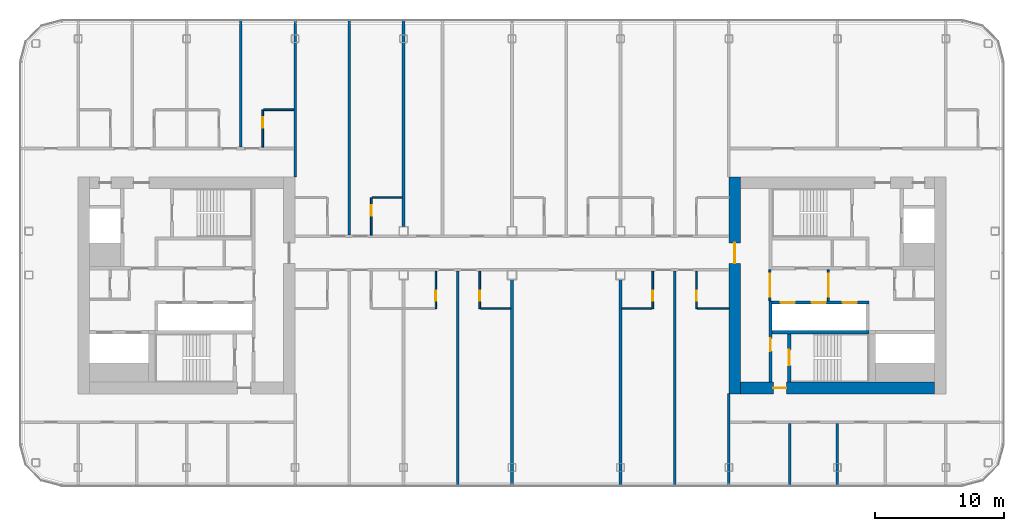
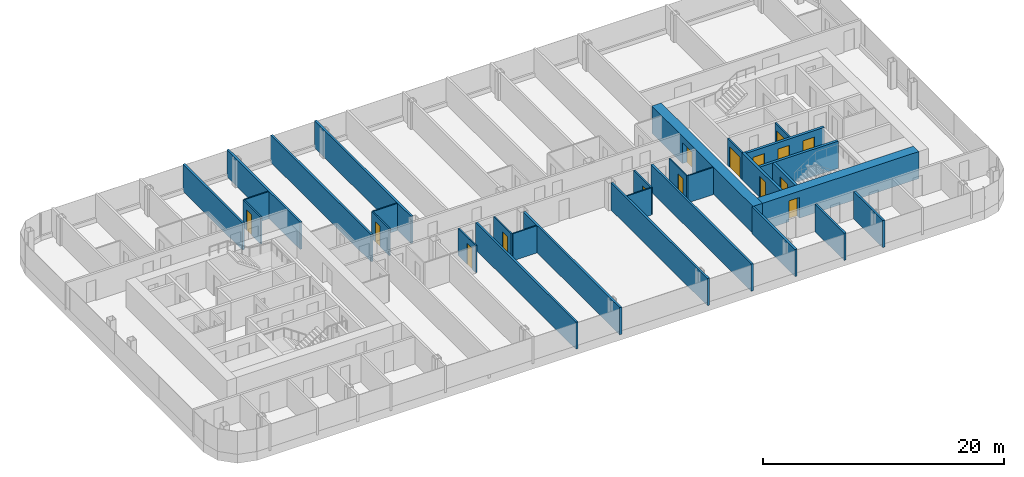
# One storey, part 15 of 26: 30 walls, 15 doors, 15 openings.
"""IFC4 building model written with IfcOpenShell, lengths in metres."""

from ifc_helpers import new_model, si_unit, direction, frame, frame_2d, origin, place, context, subcontext, project, spatial, rectangle, extrude, material, layer, layer_set, type_object, element, fill, save


model = new_model("IFC4")

# Units and contexts
model_context = context("Model", 3, precision=1e-05, world=origin(), true_north=direction((0.0, 1.0)))
body_context = subcontext(model_context, "Body", "Model", "MODEL_VIEW")
ifc_project = project(units=[si_unit("LENGTHUNIT", "METRE"), si_unit("AREAUNIT", "SQUARE_METRE"), si_unit("VOLUMEUNIT", "CUBIC_METRE"), si_unit("PLANEANGLEUNIT", "RADIAN"), si_unit("MASSUNIT", "GRAM", prefix="KILO")], contexts=[model_context])

# Site, building, storey
site_placement = place(None, origin())
site = spatial("IfcSite", under=ifc_project, at=site_placement, CompositionType="ELEMENT")
building_placement = place(site_placement, origin())
building = spatial("IfcBuilding", under=site, at=building_placement, Name="Hakoniwa Tower and Hamabe Station Hall", CompositionType="ELEMENT")
storey_placement = place(building_placement, frame((0.0, 0.0, 221.800048828125)))
storey = spatial("IfcBuildingStorey", under=building, at=storey_placement, Name="L63", CompositionType="ELEMENT", Elevation=221.800048828125)

# Walls
ifc_material_1 = material(Name="Gypsum board partition", Category="gypsum")
ifc_layer_1 = layer(ifc_material_1, 0.125)
ifc_layer_set_1 = layer_set([ifc_layer_1], Name="Bathroom Partition 125")
wall_type_1 = type_object("IfcWallType", Name="Bathroom Partition 125", PredefinedType="PARTITIONING", material=ifc_layer_set_1)
for number, where, z_axis, x_axis, name in (
    (1, (-2.4375, -1.800048828125, 0.0), (0.0, 0.0, 1.0), (1.0, 0.0, 0.0), "GW-L63-005"),
    (2, (8.5, -1.800048828125, 0.0), (0.0, 0.0, 1.0), (1.0, 0.0, 0.0), "GW-L63-006"),
):
    element("IfcWall", number, at=place(storey_placement, frame(where, z_axis=z_axis, x_axis=x_axis)), inside=storey, type_object=wall_type_1, Name=name, PredefinedType="PARTITIONING", context=body_context, shape_type="SweptSolid", body=[
        extrude(rectangle(XDim=2.33740234375, YDim=0.125, at=frame_2d((1.168701171875, 0.0))), origin(), (0.0, 0.0, 1.0), 2.75),
    ])
wall_1_placement = place(storey_placement, frame((14.362548828125, -1.800048828125, 0.0), z_axis=(0.0, 0.0, 1.0), x_axis=(1.0, 0.0, 0.0)))
element("IfcWall", 3, at=wall_1_placement, inside=storey, type_object=wall_type_1, Name="GW-L63-007", PredefinedType="PARTITIONING", context=body_context, shape_type="SweptSolid", body=[
    extrude(rectangle(XDim=2.447509765625, YDim=0.125, at=frame_2d((1.2236328125, 0.0))), origin(), (0.0, 0.0, 1.0), 2.75),
])
wall_2_placement = place(storey_placement, frame((-10.83740234375, 6.800048828125, 0.0), z_axis=(0.0, 0.0, 1.0), x_axis=(1.0, 0.0, 0.0)))
element("IfcWall", 4, at=wall_2_placement, inside=storey, type_object=wall_type_1, Name="GW-L63-011", PredefinedType="PARTITIONING", context=body_context, shape_type="SweptSolid", body=[
    extrude(rectangle(XDim=2.33740234375, YDim=0.125, at=frame_2d((1.168701171875, 0.0))), origin(), (0.0, 0.0, 1.0), 2.75),
])
wall_3_placement = place(storey_placement, frame((-19.237548828125, 13.60009765625, 0.0), z_axis=(0.0, 0.0, 1.0), x_axis=(1.0, 0.0, 0.0)))
element("IfcWall", 5, at=wall_3_placement, inside=storey, type_object=wall_type_1, Name="GW-L63-019", PredefinedType="PARTITIONING", context=body_context, shape_type="SweptSolid", body=[
    extrude(rectangle(XDim=2.337646484375, YDim=0.125, at=frame_2d((1.1689453125, 0.0))), origin(), (0.0, 0.0, 1.0), 2.75),
])

# Wall, opening, door
wall_4_placement = place(storey_placement, frame((-19.300048828125, 10.699951171875, 0.0), z_axis=(0.0, 0.0, 1.0), x_axis=(0.0, 1.0, 0.0)))
wall_4 = element("IfcWall", 6, at=wall_4_placement, inside=storey, type_object=wall_type_1, Name="GW-L63-032", PredefinedType="PARTITIONING", context=body_context, shape_type="SweptSolid", body=[
    extrude(rectangle(XDim=2.900146484375, YDim=0.125, at=frame_2d((1.4501953125, 0.0))), origin(), (0.0, 0.0, 1.0), 2.75),
])
opening_1_placement = place(wall_4_placement, frame((1.5, 0.0, 0.0)))
opening_1 = element("IfcOpeningElement", 7, at=opening_1_placement, cuts=wall_4, Name="Opening GD-G4B2-37", PredefinedType="OPENING", context=body_context, shape_type="SweptSolid", body=[
    extrude(rectangle(XDim=0.800048828125, YDim=2.10009765625, at=frame_2d((0.39990234375, 1.050048828125))), frame((0.0, 0.072509765625, 0.0), z_axis=(0.0, -1.0, 0.0), x_axis=(1.0, 0.0, 0.0)), (0.0, 0.0, 1.0), 0.14501953125),
])
ifc_material_2 = material(Name="Timber door leaf", Category="wood")
door_type_1 = type_object("IfcDoorType", Name="Bathroom Door 800", OperationType="SINGLE_SWING_LEFT", PredefinedType="DOOR", material=ifc_material_2)
door_1_placement = place(opening_1_placement, origin())
door_1 = element("IfcDoor", 8, at=door_1_placement, inside=storey, type_object=door_type_1, Name="Door GD-G4B2-37", OperationType="SINGLE_SWING_RIGHT", OverallHeight=2.10009765625, OverallWidth=0.800048828125, PredefinedType="DOOR", context=body_context, shape_type="SweptSolid", body=[
    extrude(rectangle(XDim=0.800048828125, YDim=2.10009765625, at=frame_2d((0.39990234375, 1.050048828125))), frame((0.0, 0.02490234375, 0.0), z_axis=(0.0, -1.0, 0.0), x_axis=(1.0, 0.0, 0.0)), (0.0, 0.0, 1.0), 0.050048828125),
])
fill(opening_1, door_1)

wall_5_placement = place(storey_placement, frame((-10.89990234375, 3.89990234375, 0.0), z_axis=(0.0, 0.0, 1.0), x_axis=(0.0, 1.0, 0.0)))
wall_5 = element("IfcWall", 9, at=wall_5_placement, inside=storey, type_object=wall_type_1, Name="GW-L63-040", PredefinedType="PARTITIONING", context=body_context, shape_type="SweptSolid", body=[
    extrude(rectangle(XDim=2.900146484375, YDim=0.125, at=frame_2d((1.4501953125, 0.0))), origin(), (0.0, 0.0, 1.0), 2.75),
])
opening_2_placement = place(wall_5_placement, frame((1.5, 0.0, 0.0)))
opening_2 = element("IfcOpeningElement", 10, at=opening_2_placement, cuts=wall_5, Name="Opening GD-G4B2-41", PredefinedType="OPENING", context=body_context, shape_type="SweptSolid", body=[
    extrude(rectangle(XDim=0.800048828125, YDim=2.10009765625, at=frame_2d((0.39990234375, 1.050048828125))), frame((0.0, 0.072509765625, 0.0), z_axis=(0.0, -1.0, 0.0), x_axis=(1.0, 0.0, 0.0)), (0.0, 0.0, 1.0), 0.14501953125),
])
door_2_placement = place(opening_2_placement, origin())
door_2 = element("IfcDoor", 11, at=door_2_placement, inside=storey, type_object=door_type_1, Name="Door GD-G4B2-41", OperationType="SINGLE_SWING_RIGHT", OverallHeight=2.10009765625, OverallWidth=0.800048828125, PredefinedType="DOOR", context=body_context, shape_type="SweptSolid", body=[
    extrude(rectangle(XDim=0.800048828125, YDim=2.10009765625, at=frame_2d((0.39990234375, 1.050048828125))), frame((0.0, 0.02490234375, 0.0), z_axis=(0.0, -1.0, 0.0), x_axis=(1.0, 0.0, 0.0)), (0.0, 0.0, 1.0), 0.050048828125),
])
fill(opening_2, door_2)

wall_6_placement = place(storey_placement, frame((-5.89990234375, -1.800048828125, 0.0), z_axis=(0.0, 0.0, 1.0), x_axis=(0.0, 1.0, 0.0)))
wall_6 = element("IfcWall", 12, at=wall_6_placement, inside=storey, type_object=wall_type_1, Name="GW-L63-043", PredefinedType="PARTITIONING", context=body_context, shape_type="SweptSolid", body=[
    extrude(rectangle(XDim=2.900146484375, YDim=0.125, at=frame_2d((1.4501953125, 0.0))), origin(), (0.0, 0.0, 1.0), 2.75),
])
opening_3_placement = place(wall_6_placement, frame((0.60009765625, 0.0, 0.0)))
opening_3 = element("IfcOpeningElement", 13, at=opening_3_placement, cuts=wall_6, Name="Opening GD-G4B2-42", PredefinedType="OPENING", context=body_context, shape_type="SweptSolid", body=[
    extrude(rectangle(XDim=0.800048828125, YDim=2.10009765625, at=frame_2d((0.39990234375, 1.050048828125))), frame((0.0, 0.072509765625, 0.0), z_axis=(0.0, -1.0, 0.0), x_axis=(1.0, 0.0, 0.0)), (0.0, 0.0, 1.0), 0.14501953125),
])
door_3_placement = place(opening_3_placement, origin())
door_3 = element("IfcDoor", 14, at=door_3_placement, inside=storey, type_object=door_type_1, Name="Door GD-G4B2-42", OperationType="SINGLE_SWING_RIGHT", OverallHeight=2.10009765625, OverallWidth=0.800048828125, PredefinedType="DOOR", context=body_context, shape_type="SweptSolid", body=[
    extrude(rectangle(XDim=0.800048828125, YDim=2.10009765625, at=frame_2d((0.39990234375, 1.050048828125))), frame((0.0, 0.02490234375, 0.0), z_axis=(0.0, -1.0, 0.0), x_axis=(1.0, 0.0, 0.0)), (0.0, 0.0, 1.0), 0.050048828125),
])
fill(opening_3, door_3)

wall_7_placement = place(storey_placement, frame((-2.5, -1.800048828125, 0.0), z_axis=(0.0, 0.0, 1.0), x_axis=(0.0, 1.0, 0.0)))
wall_7 = element("IfcWall", 15, at=wall_7_placement, inside=storey, type_object=wall_type_1, Name="GW-L63-046", PredefinedType="PARTITIONING", context=body_context, shape_type="SweptSolid", body=[
    extrude(rectangle(XDim=2.900146484375, YDim=0.125, at=frame_2d((1.4501953125, 0.0))), origin(), (0.0, 0.0, 1.0), 2.75),
])
opening_4_placement = place(wall_7_placement, frame((0.60009765625, 0.0, 0.0)))
opening_4 = element("IfcOpeningElement", 16, at=opening_4_placement, cuts=wall_7, Name="Opening GD-G4B2-43", PredefinedType="OPENING", context=body_context, shape_type="SweptSolid", body=[
    extrude(rectangle(XDim=0.800048828125, YDim=2.10009765625, at=frame_2d((0.39990234375, 1.050048828125))), frame((0.0, 0.072509765625, 0.0), z_axis=(0.0, -1.0, 0.0), x_axis=(1.0, 0.0, 0.0)), (0.0, 0.0, 1.0), 0.14501953125),
])
door_4_placement = place(opening_4_placement, origin())
door_4 = element("IfcDoor", 17, at=door_4_placement, inside=storey, type_object=door_type_1, Name="Door GD-G4B2-43", OperationType="SINGLE_SWING_LEFT", OverallHeight=2.10009765625, OverallWidth=0.800048828125, PredefinedType="DOOR", context=body_context, shape_type="SweptSolid", body=[
    extrude(rectangle(XDim=0.800048828125, YDim=2.10009765625, at=frame_2d((0.39990234375, 1.050048828125))), frame((0.0, 0.02490234375, 0.0), z_axis=(0.0, -1.0, 0.0), x_axis=(1.0, 0.0, 0.0)), (0.0, 0.0, 1.0), 0.050048828125),
])
fill(opening_4, door_4)

wall_8_placement = place(storey_placement, frame((10.89990234375, -1.800048828125, 0.0), z_axis=(0.0, 0.0, 1.0), x_axis=(0.0, 1.0, 0.0)))
wall_8 = element("IfcWall", 18, at=wall_8_placement, inside=storey, type_object=wall_type_1, Name="GW-L63-054", PredefinedType="PARTITIONING", context=body_context, shape_type="SweptSolid", body=[
    extrude(rectangle(XDim=2.900146484375, YDim=0.125, at=frame_2d((1.4501953125, 0.0))), origin(), (0.0, 0.0, 1.0), 2.75),
])
opening_5_placement = place(wall_8_placement, frame((0.60009765625, 0.0, 0.0)))
opening_5 = element("IfcOpeningElement", 19, at=opening_5_placement, cuts=wall_8, Name="Opening GD-G4B2-46", PredefinedType="OPENING", context=body_context, shape_type="SweptSolid", body=[
    extrude(rectangle(XDim=0.800048828125, YDim=2.10009765625, at=frame_2d((0.39990234375, 1.050048828125))), frame((0.0, 0.072509765625, 0.0), z_axis=(0.0, -1.0, 0.0), x_axis=(1.0, 0.0, 0.0)), (0.0, 0.0, 1.0), 0.14501953125),
])
door_5_placement = place(opening_5_placement, origin())
door_5 = element("IfcDoor", 20, at=door_5_placement, inside=storey, type_object=door_type_1, Name="Door GD-G4B2-46", OperationType="SINGLE_SWING_RIGHT", OverallHeight=2.10009765625, OverallWidth=0.800048828125, PredefinedType="DOOR", context=body_context, shape_type="SweptSolid", body=[
    extrude(rectangle(XDim=0.800048828125, YDim=2.10009765625, at=frame_2d((0.39990234375, 1.050048828125))), frame((0.0, 0.02490234375, 0.0), z_axis=(0.0, -1.0, 0.0), x_axis=(1.0, 0.0, 0.0)), (0.0, 0.0, 1.0), 0.050048828125),
])
fill(opening_5, door_5)

wall_9_placement = place(storey_placement, frame((14.300048828125, -1.800048828125, 0.0), z_axis=(0.0, 0.0, 1.0), x_axis=(0.0, 1.0, 0.0)))
wall_9 = element("IfcWall", 21, at=wall_9_placement, inside=storey, type_object=wall_type_1, Name="GW-L63-058", PredefinedType="PARTITIONING", context=body_context, shape_type="SweptSolid", body=[
    extrude(rectangle(XDim=2.900146484375, YDim=0.125, at=frame_2d((1.4501953125, 0.0))), origin(), (0.0, 0.0, 1.0), 2.75),
])
opening_6_placement = place(wall_9_placement, frame((0.60009765625, 0.0, 0.0)))
opening_6 = element("IfcOpeningElement", 22, at=opening_6_placement, cuts=wall_9, Name="Opening GD-G4B2-48", PredefinedType="OPENING", context=body_context, shape_type="SweptSolid", body=[
    extrude(rectangle(XDim=0.800048828125, YDim=2.10009765625, at=frame_2d((0.39990234375, 1.050048828125))), frame((0.0, 0.072509765625, 0.0), z_axis=(0.0, -1.0, 0.0), x_axis=(1.0, 0.0, 0.0)), (0.0, 0.0, 1.0), 0.14501953125),
])
door_6_placement = place(opening_6_placement, origin())
door_6 = element("IfcDoor", 23, at=door_6_placement, inside=storey, type_object=door_type_1, Name="Door GD-G4B2-48", OperationType="SINGLE_SWING_LEFT", OverallHeight=2.10009765625, OverallWidth=0.800048828125, PredefinedType="DOOR", context=body_context, shape_type="SweptSolid", body=[
    extrude(rectangle(XDim=0.800048828125, YDim=2.10009765625, at=frame_2d((0.39990234375, 1.050048828125))), frame((0.0, 0.02490234375, 0.0), z_axis=(0.0, -1.0, 0.0), x_axis=(1.0, 0.0, 0.0)), (0.0, 0.0, 1.0), 0.050048828125),
])
fill(opening_6, door_6)

ifc_material_3 = material(Name="Gypsum board partition")
ifc_layer_2 = layer(ifc_material_3, 0.14990234375)
ifc_layer_set_2 = layer_set([ifc_layer_2], Name="CORE PARTITION 150 EI 60")
wall_type_2 = type_object("IfcWallType", Name="CORE PARTITION 150 EI 60", PredefinedType="PARTITIONING", material=ifc_layer_set_2)
wall_10_placement = place(storey_placement, frame((19.97509765625, -1.199951171875, 0.0), z_axis=(0.0, 0.0, 1.0), x_axis=(0.0, 1.0, 0.0)))
wall_10 = element("IfcWall", 24, at=wall_10_placement, inside=storey, type_object=wall_type_2, Name="Core partition PL0 east", PredefinedType="PARTITIONING", context=body_context, shape_type="SweptSolid", body=[
    extrude(rectangle(XDim=2.39990234375, YDim=0.14990234375, at=frame_2d((1.199951171875, 0.0))), origin(), (0.0, 0.0, 1.0), 2.75),
])
opening_7_placement = place(wall_10_placement, frame((0.300048828125, 0.0, 0.0)))
opening_7 = element("IfcOpeningElement", 25, at=opening_7_placement, cuts=wall_10, Name="Opening CD-E-LP0-18", PredefinedType="OPENING", context=body_context, shape_type="SweptSolid", body=[
    extrude(rectangle(XDim=1.800048828125, YDim=2.10009765625, at=frame_2d((0.89990234375, 1.050048828125))), frame((0.0, 0.0849609375, 0.0), z_axis=(0.0, -1.0, 0.0), x_axis=(1.0, 0.0, 0.0)), (0.0, 0.0, 1.0), 0.169921875),
])
ifc_material_4 = material(Name="Steel fire door", Category="steel")
door_type_2 = type_object("IfcDoorType", Name="CORE DOOR 1800 FD60", OperationType="DOUBLE_DOOR_SINGLE_SWING", PredefinedType="DOOR", material=ifc_material_4)
door_7_placement = place(opening_7_placement, origin())
door_7 = element("IfcDoor", 26, at=door_7_placement, inside=storey, type_object=door_type_2, Name="Lift lobby partition door", OperationType="DOUBLE_DOOR_SINGLE_SWING", OverallHeight=2.10009765625, OverallWidth=1.800048828125, PredefinedType="DOOR", context=body_context, shape_type="SweptSolid", body=[
    extrude(rectangle(XDim=1.800048828125, YDim=2.10009765625, at=frame_2d((0.89990234375, 1.050048828125))), frame((0.0, 0.02490234375, 0.0), z_axis=(0.0, -1.0, 0.0), x_axis=(1.0, 0.0, 0.0)), (0.0, 0.0, 1.0), 0.050048828125),
])
fill(opening_7, door_7)

wall_11_placement = place(storey_placement, frame((24.5, -1.199951171875, 0.0), z_axis=(0.0, 0.0, 1.0), x_axis=(0.0, 1.0, 0.0)))
wall_11 = element("IfcWall", 27, at=wall_11_placement, inside=storey, type_object=wall_type_2, Name="Core partition PL1 east", PredefinedType="PARTITIONING", context=body_context, shape_type="SweptSolid", body=[
    extrude(rectangle(XDim=2.39990234375, YDim=0.14990234375, at=frame_2d((1.199951171875, 0.0))), origin(), (0.0, 0.0, 1.0), 2.75),
])
opening_8_placement = place(wall_11_placement, frame((0.300048828125, 0.0, 0.0)))
opening_8 = element("IfcOpeningElement", 28, at=opening_8_placement, cuts=wall_11, Name="Opening CD-E-LP1-18", PredefinedType="OPENING", context=body_context, shape_type="SweptSolid", body=[
    extrude(rectangle(XDim=1.800048828125, YDim=2.10009765625, at=frame_2d((0.89990234375, 1.050048828125))), frame((0.0, 0.0849609375, 0.0), z_axis=(0.0, -1.0, 0.0), x_axis=(1.0, 0.0, 0.0)), (0.0, 0.0, 1.0), 0.169921875),
])
door_8_placement = place(opening_8_placement, origin())
door_8 = element("IfcDoor", 29, at=door_8_placement, inside=storey, type_object=door_type_2, Name="Lift lobby partition door", OperationType="DOUBLE_DOOR_SINGLE_SWING", OverallHeight=2.10009765625, OverallWidth=1.800048828125, PredefinedType="DOOR", context=body_context, shape_type="SweptSolid", body=[
    extrude(rectangle(XDim=1.800048828125, YDim=2.10009765625, at=frame_2d((0.89990234375, 1.050048828125))), frame((0.0, 0.02490234375, 0.0), z_axis=(0.0, -1.0, 0.0), x_axis=(1.0, 0.0, 0.0)), (0.0, 0.0, 1.0), 0.050048828125),
])
fill(opening_8, door_8)

ifc_material_5 = material(Name="Concrete C60", Category="concrete")
ifc_layer_3 = layer(ifc_material_5, 0.89990234375)
ifc_layer_set_3 = layer_set([ifc_layer_3], Name="CORE WALL 900 C60")
wall_type_3 = type_object("IfcWallType", Name="CORE WALL 900 C60", PredefinedType="SHEAR", material=ifc_layer_set_3)
wall_12_placement = place(storey_placement, frame((17.25, -8.39990234375, 0.0), z_axis=(0.0, 0.0, 1.0), x_axis=(0.0, 1.0, 0.0)))
wall_12 = element("IfcWall", 30, at=wall_12_placement, inside=storey, type_object=wall_type_3, Name="Core wall INNER east", PredefinedType="SHEAR", context=body_context, shape_type="SweptSolid", body=[
    extrude(rectangle(XDim=16.7998046875, YDim=0.89990234375, at=frame_2d((8.39990234375, 0.0))), origin(), (0.0, 0.0, 1.0), 2.75),
])
opening_9_placement = place(wall_12_placement, frame((10.10009765625, 0.0, 0.0)))
opening_9 = element("IfcOpeningElement", 31, at=opening_9_placement, cuts=wall_12, Name="Opening CD-E-IN1-16", PredefinedType="OPENING", context=body_context, shape_type="SweptSolid", body=[
    extrude(rectangle(XDim=1.60009765625, YDim=2.10009765625, at=frame_2d((0.800048828125, 1.050048828125))), frame((0.0, 0.4599609375, 0.0), z_axis=(0.0, -1.0, 0.0), x_axis=(1.0, 0.0, 0.0)), (0.0, 0.0, 1.0), 0.919921875),
])
ifc_material_6 = material(Name="Steel fire door", Category="steel")
door_type_3 = type_object("IfcDoorType", Name="CORE DOOR 1600 FD60", OperationType="DOUBLE_DOOR_SINGLE_SWING", PredefinedType="DOOR", material=ifc_material_6)
door_9_placement = place(opening_9_placement, origin())
door_9 = element("IfcDoor", 32, at=door_9_placement, inside=storey, type_object=door_type_3, Name="Lift lobby door", OperationType="DOUBLE_DOOR_SINGLE_SWING", OverallHeight=2.10009765625, OverallWidth=1.60009765625, PredefinedType="DOOR", context=body_context, shape_type="SweptSolid", body=[
    extrude(rectangle(XDim=1.60009765625, YDim=2.10009765625, at=frame_2d((0.800048828125, 1.050048828125))), frame((0.0, 0.02490234375, 0.0), z_axis=(0.0, -1.0, 0.0), x_axis=(1.0, 0.0, 0.0)), (0.0, 0.0, 1.0), 0.050048828125),
])
fill(opening_9, door_9)

wall_13_placement = place(storey_placement, frame((17.699951171875, -7.949951171875, 0.0), z_axis=(0.0, 0.0, 1.0), x_axis=(1.0, 0.0, 0.0)))
wall_13 = element("IfcWall", 33, at=wall_13_placement, inside=storey, type_object=wall_type_3, Name="Core wall SOUTH east", PredefinedType="SHEAR", context=body_context, shape_type="SweptSolid", body=[
    extrude(rectangle(XDim=15.0, YDim=0.89990234375, at=frame_2d((7.5, 0.0))), origin(), (0.0, 0.0, 1.0), 2.75),
])
opening_10_placement = place(wall_13_placement, frame((2.550048828125, 0.0, 0.0)))
opening_10 = element("IfcOpeningElement", 34, at=opening_10_placement, cuts=wall_13, Name="Opening CD-E-FS3-10", PredefinedType="OPENING", context=body_context, shape_type="SweptSolid", body=[
    extrude(rectangle(XDim=1.0, YDim=2.10009765625, at=frame_2d((0.5, 1.050048828125))), frame((0.0, 0.4599609375, 0.0), z_axis=(0.0, -1.0, 0.0), x_axis=(1.0, 0.0, 0.0)), (0.0, 0.0, 1.0), 0.919921875),
])
ifc_material_7 = material(Name="Steel fire door", Category="steel")
door_type_4 = type_object("IfcDoorType", Name="CORE DOOR 1000 FD60", OperationType="NOTDEFINED", PredefinedType="DOOR", material=ifc_material_7)
door_10_placement = place(opening_10_placement, origin())
door_10 = element("IfcDoor", 35, at=door_10_placement, inside=storey, type_object=door_type_4, Name="Stair vestibule door", OperationType="SINGLE_SWING_RIGHT", OverallHeight=2.10009765625, OverallWidth=1.0, PredefinedType="DOOR", context=body_context, shape_type="SweptSolid", body=[
    extrude(rectangle(XDim=1.0, YDim=2.10009765625, at=frame_2d((0.5, 1.050048828125))), frame((0.0, 0.02490234375, 0.0), z_axis=(0.0, -1.0, 0.0), x_axis=(1.0, 0.0, 0.0)), (0.0, 0.0, 1.0), 0.050048828125),
])
fill(opening_10, door_10)

ifc_material_8 = material(Name="Concrete C60", Category="concrete")
ifc_layer_4 = layer(ifc_material_8, 0.25)
ifc_layer_set_4 = layer_set([ifc_layer_4], Name="CORE WEB WALL 250 C60")
wall_type_4 = type_object("IfcWallType", Name="CORE WEB WALL 250 C60", PredefinedType="SHEAR", material=ifc_layer_set_4)
wall_14_placement = place(storey_placement, frame((20.02490234375, -7.5, 0.0), z_axis=(0.0, 0.0, 1.0), x_axis=(0.0, 1.0, 0.0)))
wall_14 = element("IfcWall", 36, at=wall_14_placement, inside=storey, type_object=wall_type_4, Name="Core wall W1S east", PredefinedType="SHEAR", context=body_context, shape_type="SweptSolid", body=[
    extrude(rectangle(XDim=6.300048828125, YDim=0.25, at=frame_2d((3.14990234375, 0.0))), origin(), (0.0, 0.0, 1.0), 2.75),
])
opening_11_placement = place(wall_14_placement, frame((2.39990234375, 0.0, 0.0)))
opening_11 = element("IfcOpeningElement", 37, at=opening_11_placement, cuts=wall_14, Name="Opening CD-E-VS-10", PredefinedType="OPENING", context=body_context, shape_type="SweptSolid", body=[
    extrude(rectangle(XDim=1.0, YDim=2.10009765625, at=frame_2d((0.5, 1.050048828125))), frame((0.0, 0.135009765625, 0.0), z_axis=(0.0, -1.0, 0.0), x_axis=(1.0, 0.0, 0.0)), (0.0, 0.0, 1.0), 0.27001953125),
])
door_11_placement = place(opening_11_placement, origin())
door_11 = element("IfcDoor", 38, at=door_11_placement, inside=storey, type_object=door_type_4, Name="Stair vestibule door", OperationType="SINGLE_SWING_RIGHT", OverallHeight=2.10009765625, OverallWidth=1.0, PredefinedType="DOOR", context=body_context, shape_type="SweptSolid", body=[
    extrude(rectangle(XDim=1.0, YDim=2.10009765625, at=frame_2d((0.5, 1.050048828125))), frame((0.0, 0.02490234375, 0.0), z_axis=(0.0, -1.0, 0.0), x_axis=(1.0, 0.0, 0.0)), (0.0, 0.0, 1.0), 0.050048828125),
])
fill(opening_11, door_11)

# Wall, openings, doors
wall_15_placement = place(storey_placement, frame((20.14990234375, -1.324951171875, 0.0), z_axis=(0.0, 0.0, 1.0), x_axis=(1.0, 0.0, 0.0)))
wall_15 = element("IfcWall", 39, at=wall_15_placement, inside=storey, type_object=wall_type_4, Name="Core wall SF east", PredefinedType="SHEAR", context=body_context, shape_type="SweptSolid", body=[
    extrude(rectangle(XDim=7.5, YDim=0.25, at=frame_2d((3.75, 0.0))), origin(), (0.0, 0.0, 1.0), 2.75),
])
opening_12_placement = place(wall_15_placement, frame((0.64990234375, 0.0, 0.0)))
opening_12 = element("IfcOpeningElement", 40, at=opening_12_placement, cuts=wall_15, Name="Opening LD-HR4", PredefinedType="OPENING", context=body_context, shape_type="SweptSolid", body=[
    extrude(rectangle(XDim=1.10009765625, YDim=2.10009765625, at=frame_2d((0.550048828125, 1.050048828125))), frame((0.0, 0.135009765625, 0.0), z_axis=(0.0, -1.0, 0.0), x_axis=(1.0, 0.0, 0.0)), (0.0, 0.0, 1.0), 0.27001953125),
])
opening_13_placement = place(wall_15_placement, frame((3.050048828125, 0.0, 0.0)))
opening_13 = element("IfcOpeningElement", 41, at=opening_13_placement, cuts=wall_15, Name="Opening LD-HR5", PredefinedType="OPENING", context=body_context, shape_type="SweptSolid", body=[
    extrude(rectangle(XDim=1.10009765625, YDim=2.10009765625, at=frame_2d((0.550048828125, 1.050048828125))), frame((0.0, 0.135009765625, 0.0), z_axis=(0.0, -1.0, 0.0), x_axis=(1.0, 0.0, 0.0)), (0.0, 0.0, 1.0), 0.27001953125),
])
opening_14_placement = place(wall_15_placement, frame((5.449951171875, 0.0, 0.0)))
opening_14 = element("IfcOpeningElement", 42, at=opening_14_placement, cuts=wall_15, Name="Opening LD-HR6", PredefinedType="OPENING", context=body_context, shape_type="SweptSolid", body=[
    extrude(rectangle(XDim=1.10009765625, YDim=2.10009765625, at=frame_2d((0.550048828125, 1.050048828125))), frame((0.0, 0.135009765625, 0.0), z_axis=(0.0, -1.0, 0.0), x_axis=(1.0, 0.0, 0.0)), (0.0, 0.0, 1.0), 0.27001953125),
])
ifc_material_9 = material(Name="Stainless steel SUS304", Category="steel")
door_type_5 = type_object("IfcDoorType", Name="LIFT LANDING DOOR 1100 FD60", OperationType="DOUBLE_DOOR_SLIDING", PredefinedType="DOOR", material=ifc_material_9)
door_12_placement = place(opening_12_placement, origin())
door_12 = element("IfcDoor", 43, at=door_12_placement, inside=storey, type_object=door_type_5, Name="Lift landing door HR4 L63", OperationType="DOUBLE_DOOR_SLIDING", OverallHeight=2.10009765625, OverallWidth=1.10009765625, PredefinedType="DOOR", context=body_context, shape_type="SweptSolid", body=[
    extrude(rectangle(XDim=1.10009765625, YDim=2.10009765625, at=frame_2d((0.550048828125, 1.050048828125))), frame((0.0, 0.02490234375, 0.0), z_axis=(0.0, -1.0, 0.0), x_axis=(1.0, 0.0, 0.0)), (0.0, 0.0, 1.0), 0.050048828125),
])
fill(opening_12, door_12)
door_13_placement = place(opening_13_placement, origin())
door_13 = element("IfcDoor", 44, at=door_13_placement, inside=storey, type_object=door_type_5, Name="Lift landing door HR5 L63", OperationType="DOUBLE_DOOR_SLIDING", OverallHeight=2.10009765625, OverallWidth=1.10009765625, PredefinedType="DOOR", context=body_context, shape_type="SweptSolid", body=[
    extrude(rectangle(XDim=1.10009765625, YDim=2.10009765625, at=frame_2d((0.550048828125, 1.050048828125))), frame((0.0, 0.02490234375, 0.0), z_axis=(0.0, -1.0, 0.0), x_axis=(1.0, 0.0, 0.0)), (0.0, 0.0, 1.0), 0.050048828125),
])
fill(opening_13, door_13)
door_14_placement = place(opening_14_placement, origin())
door_14 = element("IfcDoor", 45, at=door_14_placement, inside=storey, type_object=door_type_5, Name="Lift landing door HR6 L63", OperationType="DOUBLE_DOOR_SLIDING", OverallHeight=2.10009765625, OverallWidth=1.10009765625, PredefinedType="DOOR", context=body_context, shape_type="SweptSolid", body=[
    extrude(rectangle(XDim=1.10009765625, YDim=2.10009765625, at=frame_2d((0.550048828125, 1.050048828125))), frame((0.0, 0.02490234375, 0.0), z_axis=(0.0, -1.0, 0.0), x_axis=(1.0, 0.0, 0.0)), (0.0, 0.0, 1.0), 0.050048828125),
])
fill(opening_14, door_14)

# Wall
wall_16_placement = place(storey_placement, frame((20.14990234375, -3.625, 0.0), z_axis=(0.0, 0.0, 1.0), x_axis=(1.0, 0.0, 0.0)))
element("IfcWall", 46, at=wall_16_placement, inside=storey, type_object=wall_type_4, Name="Core wall SR east", PredefinedType="SHEAR", context=body_context, shape_type="SweptSolid", body=[
    extrude(rectangle(XDim=7.5, YDim=0.25, at=frame_2d((3.75, 0.0))), origin(), (0.0, 0.0, 1.0), 2.75),
])

# Wall, opening, door
wall_17_placement = place(storey_placement, frame((21.47509765625, -7.5, 0.0), z_axis=(0.0, 0.0, 1.0), x_axis=(0.0, 1.0, 0.0)))
wall_17 = element("IfcWall", 47, at=wall_17_placement, inside=storey, type_object=wall_type_4, Name="Core wall VE east", PredefinedType="SHEAR", context=body_context, shape_type="SweptSolid", body=[
    extrude(rectangle(XDim=3.75, YDim=0.25, at=frame_2d((1.875, 0.0))), origin(), (0.0, 0.0, 1.0), 2.75),
])
opening_15_placement = place(wall_17_placement, frame((1.300048828125, 0.0, 0.0)))
opening_15 = element("IfcOpeningElement", 48, at=opening_15_placement, cuts=wall_17, Name="Opening CD-E-SS-12", PredefinedType="OPENING", context=body_context, shape_type="SweptSolid", body=[
    extrude(rectangle(XDim=1.199951171875, YDim=2.10009765625, at=frame_2d((0.60009765625, 1.050048828125))), frame((0.0, 0.135009765625, 0.0), z_axis=(0.0, -1.0, 0.0), x_axis=(1.0, 0.0, 0.0)), (0.0, 0.0, 1.0), 0.27001953125),
])
ifc_material_10 = material(Name="Steel fire door", Category="steel")
door_type_6 = type_object("IfcDoorType", Name="CORE DOOR 1200 FD60", OperationType="DOUBLE_DOOR_SINGLE_SWING", PredefinedType="DOOR", material=ifc_material_10)
door_15_placement = place(opening_15_placement, origin())
door_15 = element("IfcDoor", 49, at=door_15_placement, inside=storey, type_object=door_type_6, Name="Escape stair door", OperationType="DOUBLE_DOOR_SINGLE_SWING", OverallHeight=2.10009765625, OverallWidth=1.199951171875, PredefinedType="DOOR", context=body_context, shape_type="SweptSolid", body=[
    extrude(rectangle(XDim=1.199951171875, YDim=2.10009765625, at=frame_2d((0.60009765625, 1.050048828125))), frame((0.0, 0.02490234375, 0.0), z_axis=(0.0, -1.0, 0.0), x_axis=(1.0, 0.0, 0.0)), (0.0, 0.0, 1.0), 0.050048828125),
])
fill(opening_15, door_15)

# Walls
ifc_material_11 = material(Name="Fire-rated gypsum board partition", Category="gypsum")
ifc_layer_5 = layer(ifc_material_11, 0.199951171875)
ifc_layer_set_5 = layer_set([ifc_layer_5], Name="Party Wall 200")
wall_type_5 = type_object("IfcWallType", Name="Party Wall 200", PredefinedType="PARTITIONING", material=ifc_layer_set_5)
wall_18_placement = place(storey_placement, frame((-21.0, 10.699951171875, 0.0), z_axis=(0.0, 0.0, 1.0), x_axis=(0.0, 1.0, 0.0)))
element("IfcWall", 50, at=wall_18_placement, inside=storey, type_object=wall_type_5, Name="GW-L63-031", PredefinedType="PARTITIONING", context=body_context, shape_type="SweptSolid", body=[
    extrude(rectangle(XDim=9.85009765625, YDim=0.199951171875, at=frame_2d((4.925048828125, 0.0))), origin(), (0.0, 0.0, 1.0), 2.75),
])
wall_19_placement = place(storey_placement, frame((-16.800048828125, 8.389892578125, 0.0), z_axis=(0.0, 0.0, 1.0), x_axis=(0.0, 1.0, 0.0)))
element("IfcWall", 51, at=wall_19_placement, inside=storey, type_object=wall_type_5, Name="GW-L63-034", PredefinedType="PARTITIONING", context=body_context, shape_type="SweptSolid", body=[
    extrude(rectangle(XDim=12.16015625, YDim=0.199951171875, at=frame_2d((6.080078125, 0.0))), origin(), (0.0, 0.0, 1.0), 2.75),
])
wall_20_placement = place(storey_placement, frame((-12.60009765625, 3.89990234375, 0.0), z_axis=(0.0, 0.0, 1.0), x_axis=(0.0, 1.0, 0.0)))
element("IfcWall", 52, at=wall_20_placement, inside=storey, type_object=wall_type_5, Name="GW-L63-038", PredefinedType="PARTITIONING", context=body_context, shape_type="SweptSolid", body=[
    extrude(rectangle(XDim=16.650146484375, YDim=0.199951171875, at=frame_2d((8.3251953125, 0.0))), origin(), (0.0, 0.0, 1.0), 2.75),
])
wall_21_placement = place(storey_placement, frame((-8.39990234375, 4.5400390625, 0.0), z_axis=(0.0, 0.0, 1.0), x_axis=(0.0, 1.0, 0.0)))
element("IfcWall", 53, at=wall_21_placement, inside=storey, type_object=wall_type_5, Name="GW-L63-042", PredefinedType="PARTITIONING", context=body_context, shape_type="SweptSolid", body=[
    extrude(rectangle(XDim=16.010009765625, YDim=0.199951171875, at=frame_2d((8.0048828125, 0.0))), origin(), (0.0, 0.0, 1.0), 2.75),
])
wall_22_placement = place(storey_placement, frame((-4.199951171875, -15.550048828125, 0.0), z_axis=(0.0, 0.0, 1.0), x_axis=(0.0, 1.0, 0.0)))
element("IfcWall", 54, at=wall_22_placement, inside=storey, type_object=wall_type_5, Name="GW-L63-045", PredefinedType="PARTITIONING", context=body_context, shape_type="SweptSolid", body=[
    extrude(rectangle(XDim=16.650146484375, YDim=0.199951171875, at=frame_2d((8.3251953125, 0.0))), origin(), (0.0, 0.0, 1.0), 2.75),
])
for number, where, z_axis, x_axis, name in (
    (55, (0.0, -15.550048828125, 0.0), (0.0, 0.0, 1.0), (0.0, 1.0, 0.0), "GW-L63-047"),
    (56, (8.39990234375, -15.550048828125, 0.0), (0.0, 0.0, 1.0), (0.0, 1.0, 0.0), "GW-L63-052"),
):
    element("IfcWall", number, at=place(storey_placement, frame(where, z_axis=z_axis, x_axis=x_axis)), inside=storey, type_object=wall_type_5, Name=name, PredefinedType="PARTITIONING", context=body_context, shape_type="SweptSolid", body=[
        extrude(rectangle(XDim=16.010009765625, YDim=0.199951171875, at=frame_2d((8.0048828125, 0.0))), origin(), (0.0, 0.0, 1.0), 2.75),
    ])
wall_23_placement = place(storey_placement, frame((12.60009765625, -15.550048828125, 0.0), z_axis=(0.0, 0.0, 1.0), x_axis=(0.0, 1.0, 0.0)))
element("IfcWall", 57, at=wall_23_placement, inside=storey, type_object=wall_type_5, Name="GW-L63-056", PredefinedType="PARTITIONING", context=body_context, shape_type="SweptSolid", body=[
    extrude(rectangle(XDim=16.650146484375, YDim=0.199951171875, at=frame_2d((8.3251953125, 0.0))), origin(), (0.0, 0.0, 1.0), 2.75),
])
wall_24_placement = place(storey_placement, frame((16.800048828125, -15.550048828125, 0.0), z_axis=(0.0, 0.0, 1.0), x_axis=(0.0, 1.0, 0.0)))
element("IfcWall", 58, at=wall_24_placement, inside=storey, type_object=wall_type_5, Name="GW-L63-060", PredefinedType="PARTITIONING", context=body_context, shape_type="SweptSolid", body=[
    extrude(rectangle(XDim=7.16015625, YDim=0.199951171875, at=frame_2d((3.580078125, 0.0))), origin(), (0.0, 0.0, 1.0), 2.75),
])
for number, where, z_axis, x_axis, name in (
    (59, (21.5, -15.550048828125, 0.0), (0.0, 0.0, 1.0), (0.0, 1.0, 0.0), "GW-L63-062"),
    (60, (25.199951171875, -15.550048828125, 0.0), (0.0, 0.0, 1.0), (0.0, 1.0, 0.0), "GW-L63-063"),
):
    element("IfcWall", number, at=place(storey_placement, frame(where, z_axis=z_axis, x_axis=x_axis)), inside=storey, type_object=wall_type_5, Name=name, PredefinedType="PARTITIONING", context=body_context, shape_type="SweptSolid", body=[
        extrude(rectangle(XDim=4.85009765625, YDim=0.199951171875, at=frame_2d((2.425048828125, 0.0))), origin(), (0.0, 0.0, 1.0), 2.75),
    ])

save(model, "model.ifc")
